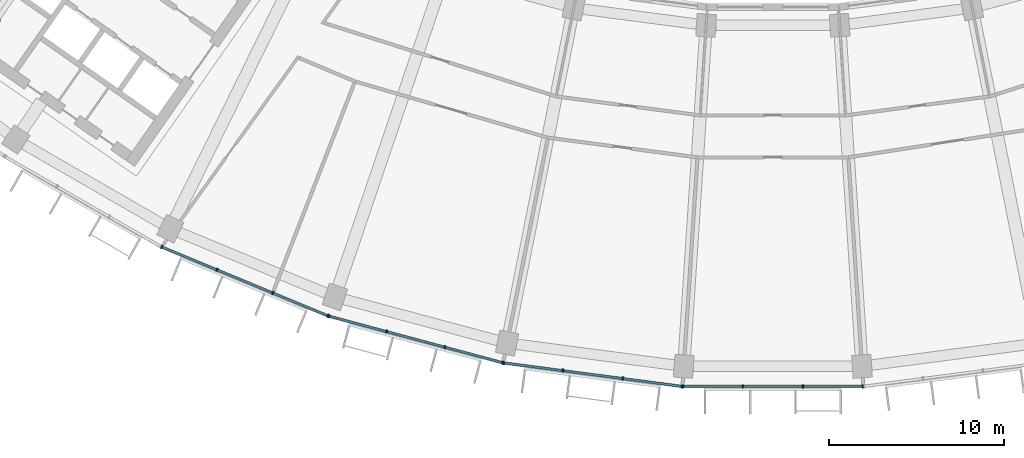
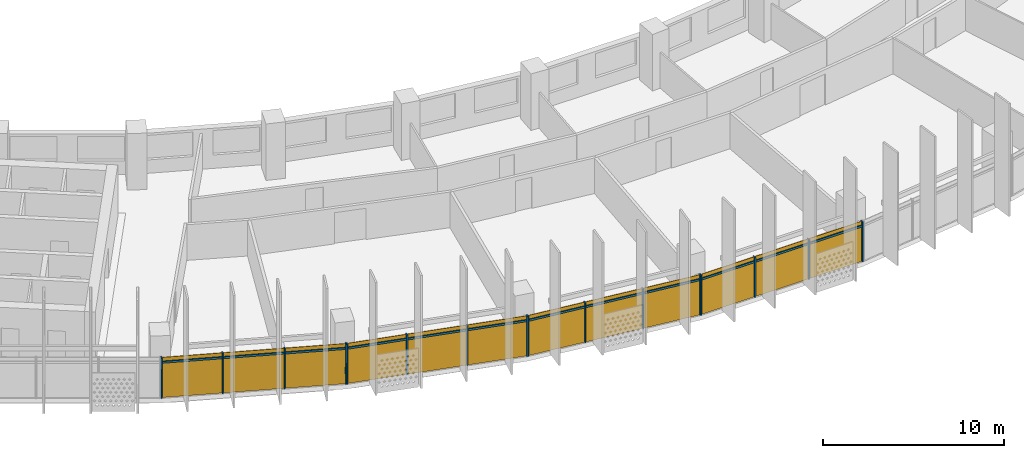
# One storey, part 18 of 27: 28 members, 4 curtain walls.
"""IFC4 building model written with IfcOpenShell, lengths in metres."""

import ifcopenshell
import ifcopenshell.guid

model = None  # the IFC model being written
_history = None  # IfcOwnerHistory: only IFC2X3 demands one
_inside = {}  # id of a spatial element -> (the spatial element, [elements in it])
_under = {}  # id of a project, library or spatial element -> (it, [spatial elements below it])
_declared = {}  # id of a project -> (the project, [libraries it declares])
_typed = {}  # id of a type object -> (the type object, [elements of that type])
_made_of = {}  # id of a material, layer set ... -> (it, [elements and type objects made of it])


def new_model(schema):
    """Start an empty IFC model of exactly this schema.

    Asked for "IFC4X3", IfcOpenShell would pick the latest addendum, in which some entities
    have other attributes; the version numbers below select the first issue.
    IFC2X3 requires an IfcOwnerHistory on every rooted entity: one is made here for all.
    """
    global model, _history
    if schema == "IFC4X3":
        model = ifcopenshell.file(schema_version=(4, 3, 0, 0))
    else:
        model = ifcopenshell.file(schema=schema)
    _inside.clear()
    _under.clear()
    _declared.clear()
    _typed.clear()
    _made_of.clear()
    _history = None
    if model.schema == "IFC2X3":
        org = make("IfcOrganization", Name="unknown")
        user = make(
            "IfcPersonAndOrganization",
            ThePerson=make("IfcPerson", FamilyName="unknown"),
            TheOrganization=org,
        )
        app = make(
            "IfcApplication",
            ApplicationDeveloper=org,
            Version="unknown",
            ApplicationFullName="unknown",
            ApplicationIdentifier="unknown",
        )
        _history = make(
            "IfcOwnerHistory",
            OwningUser=user,
            OwningApplication=app,
            ChangeAction="ADDED",
            CreationDate=0,
        )
    return model


def make(cls, **values):
    """One entity of the class cls with the attributes given. An attribute that is None is left unset."""
    return model.create_entity(
        cls, **{name: value for name, value in values.items() if value is not None}
    )


def rooted(cls, **values):
    """An entity with a GlobalId (a new one), such as an element, a storey or a relation."""
    return make(cls, GlobalId=ifcopenshell.guid.new(), OwnerHistory=_history, **values)


def si_unit(unit_type, name, prefix=None):
    """IfcSIUnit, for example si_unit("LENGTHUNIT", "METRE", prefix="MILLI")."""
    return make("IfcSIUnit", UnitType=unit_type, Prefix=prefix, Name=name)


def assignment(units):
    """IfcUnitAssignment: the units of a project."""
    return None if units is None else make("IfcUnitAssignment", Units=units)


def point(xyz):
    """IfcCartesianPoint."""
    return None if xyz is None else make("IfcCartesianPoint", Coordinates=xyz)


def direction(xyz):
    """IfcDirection."""
    return None if xyz is None else make("IfcDirection", DirectionRatios=xyz)


def frame(location, z_axis=None, x_axis=None):
    """IfcAxis2Placement3D, a coordinate frame: its origin and axes. An axis left out is left unset."""
    return make(
        "IfcAxis2Placement3D",
        Location=point(location),
        Axis=direction(z_axis),
        RefDirection=direction(x_axis),
    )


def frame_2d(location, x_axis=None):
    """IfcAxis2Placement2D, a coordinate frame in the plane: its origin and x axis."""
    return make(
        "IfcAxis2Placement2D", Location=point(location), RefDirection=direction(x_axis)
    )


def origin():
    """The frame at (0, 0, 0) with its axes left unset."""
    return frame((0.0, 0.0, 0.0))


def origin_2d():
    """The frame at (0, 0) in the plane with its x axis left unset."""
    return frame_2d((0.0, 0.0))


def place(relative_to, where):
    """IfcLocalPlacement: puts the frame where relative to a parent placement (None: the world)."""
    return make(
        "IfcLocalPlacement", PlacementRelTo=relative_to, RelativePlacement=where
    )


def context(
    kind, dimensions, precision=None, world=None, true_north=None, identifier=None
):
    """IfcGeometricRepresentationContext, for example the 3D "Model" context."""
    return make(
        "IfcGeometricRepresentationContext",
        ContextIdentifier=identifier,
        ContextType=kind,
        CoordinateSpaceDimension=dimensions,
        Precision=precision,
        WorldCoordinateSystem=world,
        TrueNorth=true_north,
    )


def subcontext(parent, identifier, kind, view, scale=None):
    """IfcGeometricRepresentationSubContext, for example "Body" below "Model"."""
    return make(
        "IfcGeometricRepresentationSubContext",
        ContextIdentifier=identifier,
        ContextType=kind,
        ParentContext=parent,
        TargetScale=scale,
        TargetView=view,
    )


def project(units=None, contexts=None):
    """IfcProject with its units and contexts."""
    return rooted(
        "IfcProject",
        Name="project",
        RepresentationContexts=contexts,
        UnitsInContext=assignment(units),
    )


def spatial(cls, under=None, at=None, **own):
    """A site, building, storey or space (cls), placed at a placement, below another one or the project."""
    s = rooted(cls, ObjectPlacement=at, **own)
    if under is not None:
        _under.setdefault(under.id(), (under, []))[1].append(s)
    return s


def profile(cls, at=None, kind="AREA", **sizes):
    """A parametric profile (cls). Its sizes go by their IFC names, for example OverallWidth=200.0."""
    return make(cls, ProfileType=kind, Position=at, **sizes)


def rectangle(**sizes):
    """IfcRectangleProfileDef."""
    return profile("IfcRectangleProfileDef", **sizes)


def extrude(swept, where, along, depth):
    """IfcExtrudedAreaSolid: the profile swept, set in the frame where, extruded along a direction by depth."""
    return make(
        "IfcExtrudedAreaSolid",
        SweptArea=swept,
        Position=where,
        ExtrudedDirection=direction(along),
        Depth=depth,
    )


def shape(context_of_items, identifier, shape_type, items):
    """IfcShapeRepresentation: the items that make up one representation, for example the "Body"."""
    return make(
        "IfcShapeRepresentation",
        ContextOfItems=context_of_items,
        RepresentationIdentifier=identifier,
        RepresentationType=shape_type,
        Items=items,
    )


def material(Name=None, Category=None):
    """IfcMaterial."""
    return make("IfcMaterial", Name=Name, Category=Category)


def material_profile(
    of_material, cross_section, Name=None, Category=None, Priority=None
):
    """IfcMaterialProfile: a cross section and its material."""
    return make(
        "IfcMaterialProfile",
        Name=Name,
        Material=of_material,
        Profile=cross_section,
        Priority=Priority,
        Category=Category,
    )


def profile_set(profiles, Name=None, composite=None):
    """IfcMaterialProfileSet."""
    return make(
        "IfcMaterialProfileSet",
        Name=Name,
        MaterialProfiles=profiles,
        CompositeProfile=composite,
    )


def made_of(thing, what):
    """Note that an element or type object is made of a material, layer set ...; save() writes the relation."""
    if what is not None:
        _made_of.setdefault(what.id(), (what, []))[1].append(thing)
    return thing


def type_object(cls, material=None, **own):
    """A type object (cls), such as IfcWallType, which elements share."""
    return made_of(rooted(cls, **own), material)


def element(
    cls,
    number,
    at=None,
    inside=None,
    cuts=None,
    type_object=None,
    material=None,
    context=None,
    identifier="Body",
    shape_type=None,
    held_by="IfcProductDefinitionShape",
    body=None,
    shapes=None,
    **own,
):
    """One element of the class cls, such as IfcWall. Its Tag is "e" and its number.

    at: its placement. inside: the storey or other place that contains it. cuts: it is an
    opening in that element (IfcRelVoidsElement). A single representation is given by context,
    identifier, shape_type and body (its items); several are given by shapes. held_by: the class
    of the entity that holds the representations. save() writes the other relations.
    """
    e = rooted(cls, Tag="e%d" % number, ObjectPlacement=at, **own)
    if body is not None:
        shapes = [shape(context, identifier, shape_type, body)]
    if shapes is not None:
        e.Representation = make(held_by, Representations=shapes)
    if inside is not None:
        _inside.setdefault(inside.id(), (inside, []))[1].append(e)
    if cuts is not None:
        rooted(
            "IfcRelVoidsElement", RelatingBuildingElement=cuts, RelatedOpeningElement=e
        )
    if type_object is not None:
        _typed.setdefault(type_object.id(), (type_object, []))[1].append(e)
    return made_of(e, material)


def aggregate(whole, parts):
    """IfcRelAggregates: a whole, such as a stair, and the parts it consists of."""
    return rooted("IfcRelAggregates", RelatingObject=whole, RelatedObjects=parts)


def save(model, path):
    """Write the relations noted so far, then the file.

    IfcRelAggregates (storeys below a building ...), IfcRelContainedInSpatialStructure (elements
    in a storey), IfcRelDefinesByType, IfcRelAssociatesMaterial and IfcRelDeclares: one each for
    every whole, place, type object, material and project.
    """
    for whole, parts in _under.values():
        aggregate(whole, parts)
    for where, things in _inside.values():
        rooted(
            "IfcRelContainedInSpatialStructure",
            RelatedElements=things,
            RelatingStructure=where,
        )
    for kind, things in _typed.values():
        rooted("IfcRelDefinesByType", RelatedObjects=things, RelatingType=kind)
    for what, things in _made_of.values():
        rooted("IfcRelAssociatesMaterial", RelatedObjects=things, RelatingMaterial=what)
    for by, libraries in _declared.values():
        rooted("IfcRelDeclares", RelatingContext=by, RelatedDefinitions=libraries)
    model.write(path)


model = new_model("IFC4")

# Units and contexts
model_context = context("Model", 3, precision=1e-05, world=origin(), true_north=direction((0.0, 1.0)))
body_context = subcontext(model_context, "Body", "Model", "MODEL_VIEW")
ifc_project = project(units=[si_unit("LENGTHUNIT", "METRE"), si_unit("AREAUNIT", "SQUARE_METRE"), si_unit("VOLUMEUNIT", "CUBIC_METRE"), si_unit("PLANEANGLEUNIT", "RADIAN"), si_unit("MASSUNIT", "GRAM", prefix="KILO")], contexts=[model_context])

# Member
ifc_material = material(Name="Aluminium 6063-T6 anodised", Category="aluminium")
ifc_material_profile_1 = material_profile(ifc_material, rectangle(XDim=0.199951171875, YDim=0.070068359375, at=origin_2d()))
ifc_profile_set_1 = profile_set([ifc_material_profile_1], Name="Aluminium 6063-T6 anodised")
member_type_1 = type_object("IfcMemberType", Name="Mullion 70 x 200 aluminium", PredefinedType="MULLION", material=ifc_profile_set_1)
site_placement = place(None, origin())
building_placement = place(site_placement, origin())
storey_placement = place(building_placement, frame((0.0, 0.0, 164.5)))
member_1_placement = place(storey_placement, frame((-34.8701171875, -70.77392578125, 0.0), z_axis=(0.0, 0.0, 1.0), x_axis=(0.382683432365, 0.923879532511, 0.0)))
member_1 = element("IfcMember", 1, at=member_1_placement, type_object=member_type_1, Name="e-cw1-L38-out04/M00", PredefinedType="MULLION", context=body_context, shape_type="SweptSolid", body=[
    extrude(rectangle(XDim=0.199951171875, YDim=0.070068359375, at=origin_2d()), origin(), (0.0, 0.0, 1.0), 2.699951171875),
])

member_2_placement = place(storey_placement, frame((-31.72021484375, -72.078857421875, 0.0), z_axis=(0.0, 0.0, 1.0), x_axis=(0.382683432365, 0.923879532511, 0.0)))
member_2 = element("IfcMember", 2, at=member_2_placement, type_object=member_type_1, Name="e-cw1-L38-out04/M01", PredefinedType="MULLION", context=body_context, shape_type="SweptSolid", body=[
    extrude(rectangle(XDim=0.199951171875, YDim=0.070068359375, at=origin_2d()), origin(), (0.0, 0.0, 1.0), 2.699951171875),
])

member_3_placement = place(storey_placement, frame((-28.537841796875, -73.39697265625, 0.0), z_axis=(0.0, 0.0, 1.0), x_axis=(0.382683432365, 0.923879532511, 0.0)))
member_3 = element("IfcMember", 3, at=member_3_placement, type_object=member_type_1, Name="e-cw1-L38-out04/M02", PredefinedType="MULLION", context=body_context, shape_type="SweptSolid", body=[
    extrude(rectangle(XDim=0.199951171875, YDim=0.070068359375, at=origin_2d()), origin(), (0.0, 0.0, 1.0), 2.699951171875),
])

member_4_placement = place(storey_placement, frame((-25.3876953125, -74.70166015625, 0.0), z_axis=(0.0, 0.0, 1.0), x_axis=(0.382683432365, 0.923879532511, 0.0)))
member_4 = element("IfcMember", 4, at=member_4_placement, type_object=member_type_1, Name="e-cw1-L38-out04/M03", PredefinedType="MULLION", context=body_context, shape_type="SweptSolid", body=[
    extrude(rectangle(XDim=0.199951171875, YDim=0.070068359375, at=origin_2d()), origin(), (0.0, 0.0, 1.0), 2.699951171875),
])

member_5_placement = place(storey_placement, frame((-25.333984375, -74.719970703125, 0.0), z_axis=(0.0, 0.0, 1.0), x_axis=(0.258819045103, 0.965925826289, 0.0)))
member_5 = element("IfcMember", 5, at=member_5_placement, type_object=member_type_1, Name="e-cw1-L38-out05/M00", PredefinedType="MULLION", context=body_context, shape_type="SweptSolid", body=[
    extrude(rectangle(XDim=0.199951171875, YDim=0.070068359375, at=origin_2d()), origin(), (0.0, 0.0, 1.0), 2.699951171875),
])

member_6_placement = place(storey_placement, frame((-22.04052734375, -75.602294921875, 0.0), z_axis=(0.0, 0.0, 1.0), x_axis=(0.258819045103, 0.965925826289, 0.0)))
member_6 = element("IfcMember", 6, at=member_6_placement, type_object=member_type_1, Name="e-cw1-L38-out05/M01", PredefinedType="MULLION", context=body_context, shape_type="SweptSolid", body=[
    extrude(rectangle(XDim=0.199951171875, YDim=0.070068359375, at=origin_2d()), origin(), (0.0, 0.0, 1.0), 2.699951171875),
])

member_7_placement = place(storey_placement, frame((-18.71337890625, -76.493896484375, 0.0), z_axis=(0.0, 0.0, 1.0), x_axis=(0.258819045103, 0.965925826289, 0.0)))
member_7 = element("IfcMember", 7, at=member_7_placement, type_object=member_type_1, Name="e-cw1-L38-out05/M02", PredefinedType="MULLION", context=body_context, shape_type="SweptSolid", body=[
    extrude(rectangle(XDim=0.199951171875, YDim=0.070068359375, at=origin_2d()), origin(), (0.0, 0.0, 1.0), 2.699951171875),
])

member_8_placement = place(storey_placement, frame((-15.420166015625, -77.37646484375, 0.0), z_axis=(0.0, 0.0, 1.0), x_axis=(0.258819045103, 0.965925826289, 0.0)))
member_8 = element("IfcMember", 8, at=member_8_placement, type_object=member_type_1, Name="e-cw1-L38-out05/M03", PredefinedType="MULLION", context=body_context, shape_type="SweptSolid", body=[
    extrude(rectangle(XDim=0.199951171875, YDim=0.070068359375, at=origin_2d()), origin(), (0.0, 0.0, 1.0), 2.699951171875),
])

member_9_placement = place(storey_placement, frame((-15.364501953125, -77.387451171875, 0.0), z_axis=(0.0, 0.0, 1.0), x_axis=(0.13052619222, 0.991444861374, 0.0)))
member_9 = element("IfcMember", 9, at=member_9_placement, type_object=member_type_1, Name="e-cw1-L38-out06/M00", PredefinedType="MULLION", context=body_context, shape_type="SweptSolid", body=[
    extrude(rectangle(XDim=0.199951171875, YDim=0.070068359375, at=origin_2d()), origin(), (0.0, 0.0, 1.0), 2.699951171875),
])

member_10_placement = place(storey_placement, frame((-11.98388671875, -77.83251953125, 0.0), z_axis=(0.0, 0.0, 1.0), x_axis=(0.13052619222, 0.991444861374, 0.0)))
member_10 = element("IfcMember", 10, at=member_10_placement, type_object=member_type_1, Name="e-cw1-L38-out06/M01", PredefinedType="MULLION", context=body_context, shape_type="SweptSolid", body=[
    extrude(rectangle(XDim=0.199951171875, YDim=0.070068359375, at=origin_2d()), origin(), (0.0, 0.0, 1.0), 2.699951171875),
])

member_11_placement = place(storey_placement, frame((-8.56884765625, -78.2822265625, 0.0), z_axis=(0.0, 0.0, 1.0), x_axis=(0.13052619222, 0.991444861374, 0.0)))
member_11 = element("IfcMember", 11, at=member_11_placement, type_object=member_type_1, Name="e-cw1-L38-out06/M02", PredefinedType="MULLION", context=body_context, shape_type="SweptSolid", body=[
    extrude(rectangle(XDim=0.199951171875, YDim=0.070068359375, at=origin_2d()), origin(), (0.0, 0.0, 1.0), 2.699951171875),
])

member_12_placement = place(storey_placement, frame((-5.1884765625, -78.72705078125, 0.0), z_axis=(0.0, 0.0, 1.0), x_axis=(0.13052619222, 0.991444861374, 0.0)))
member_12 = element("IfcMember", 12, at=member_12_placement, type_object=member_type_1, Name="e-cw1-L38-out06/M03", PredefinedType="MULLION", context=body_context, shape_type="SweptSolid", body=[
    extrude(rectangle(XDim=0.199951171875, YDim=0.070068359375, at=origin_2d()), origin(), (0.0, 0.0, 1.0), 2.699951171875),
])

member_13_placement = place(storey_placement, frame((-5.1318359375, -78.73095703125, 0.0), z_axis=(0.0, 0.0, 1.0), x_axis=(0.0, 1.0, 0.0)))
member_13 = element("IfcMember", 13, at=member_13_placement, type_object=member_type_1, Name="e-cw1-L38-out07/M00", PredefinedType="MULLION", context=body_context, shape_type="SweptSolid", body=[
    extrude(rectangle(XDim=0.199951171875, YDim=0.070068359375, at=origin_2d()), origin(), (0.0, 0.0, 1.0), 2.699951171875),
])

member_14_placement = place(storey_placement, frame((-1.72216796875, -78.73095703125, 0.0), z_axis=(0.0, 0.0, 1.0), x_axis=(0.0, 1.0, 0.0)))
member_14 = element("IfcMember", 14, at=member_14_placement, type_object=member_type_1, Name="e-cw1-L38-out07/M01", PredefinedType="MULLION", context=body_context, shape_type="SweptSolid", body=[
    extrude(rectangle(XDim=0.199951171875, YDim=0.070068359375, at=origin_2d()), origin(), (0.0, 0.0, 1.0), 2.699951171875),
])

member_15_placement = place(storey_placement, frame((1.72216796875, -78.73095703125, 0.0), z_axis=(0.0, 0.0, 1.0), x_axis=(0.0, 1.0, 0.0)))
member_15 = element("IfcMember", 15, at=member_15_placement, type_object=member_type_1, Name="e-cw1-L38-out07/M02", PredefinedType="MULLION", context=body_context, shape_type="SweptSolid", body=[
    extrude(rectangle(XDim=0.199951171875, YDim=0.070068359375, at=origin_2d()), origin(), (0.0, 0.0, 1.0), 2.699951171875),
])

member_16_placement = place(storey_placement, frame((5.1318359375, -78.73095703125, 0.0), z_axis=(0.0, 0.0, 1.0), x_axis=(0.0, 1.0, 0.0)))
member_16 = element("IfcMember", 16, at=member_16_placement, type_object=member_type_1, Name="e-cw1-L38-out07/M03", PredefinedType="MULLION", context=body_context, shape_type="SweptSolid", body=[
    extrude(rectangle(XDim=0.199951171875, YDim=0.070068359375, at=origin_2d()), origin(), (0.0, 0.0, 1.0), 2.699951171875),
])

ifc_material_profile_2 = material_profile(ifc_material, rectangle(XDim=0.139892578125, YDim=0.1201171875, at=origin_2d()))
ifc_profile_set_2 = profile_set([ifc_material_profile_2], Name="Aluminium 6063-T6 anodised")
member_type_2 = type_object("IfcMemberType", Name="Transom 120 x 140 aluminium", PredefinedType="USERDEFINED", material=ifc_profile_set_2)
member_17_placement = place(storey_placement, frame((-34.837890625, -70.787353515625, 2.39990234375), z_axis=(0.923875164544, -0.382693977401, 0.0), x_axis=(0.382693977401, 0.923875164544, 0.0)))
member_17 = element("IfcMember", 17, at=member_17_placement, type_object=member_type_2, Name="e-cw1-L38-out04/T00", ObjectType="TRANSOM", PredefinedType="USERDEFINED", context=body_context, shape_type="SweptSolid", body=[
    extrude(rectangle(XDim=0.139892578125, YDim=0.1201171875, at=origin_2d()), origin(), (0.0, 0.0, 1.0), 3.339599609375),
])

member_18_placement = place(storey_placement, frame((-31.687744140625, -72.092041015625, 2.39990234375), z_axis=(0.923866926753, -0.382713863941, 0.0), x_axis=(0.382713863941, 0.923866926753, 0.0)))
member_18 = element("IfcMember", 18, at=member_18_placement, type_object=member_type_2, Name="e-cw1-L38-out04/T01", ObjectType="TRANSOM", PredefinedType="USERDEFINED", context=body_context, shape_type="SweptSolid", body=[
    extrude(rectangle(XDim=0.139892578125, YDim=0.1201171875, at=origin_2d()), origin(), (0.0, 0.0, 1.0), 3.37451171875),
])

member_19_placement = place(storey_placement, frame((-28.50537109375, -73.410400390625, 2.39990234375), z_axis=(0.923890305385, -0.382657423311, 0.0), x_axis=(0.382657423311, 0.923890305385, 0.0)))
member_19 = element("IfcMember", 19, at=member_19_placement, type_object=member_type_2, Name="e-cw1-L38-out04/T02", ObjectType="TRANSOM", PredefinedType="USERDEFINED", context=body_context, shape_type="SweptSolid", body=[
    extrude(rectangle(XDim=0.139892578125, YDim=0.1201171875, at=origin_2d()), origin(), (0.0, 0.0, 1.0), 3.33935546875),
])

member_20_placement = place(storey_placement, frame((-25.30029296875, -74.72900390625, 2.39990234375), z_axis=(0.965933368091, -0.258790897074, 0.0), x_axis=(0.258790897074, 0.965933368091, 0.0)))
member_20 = element("IfcMember", 20, at=member_20_placement, type_object=member_type_2, Name="e-cw1-L38-out05/T00", ObjectType="TRANSOM", PredefinedType="USERDEFINED", context=body_context, shape_type="SweptSolid", body=[
    extrude(rectangle(XDim=0.139892578125, YDim=0.1201171875, at=origin_2d()), origin(), (0.0, 0.0, 1.0), 3.339599609375),
])

member_21_placement = place(storey_placement, frame((-22.0068359375, -75.611572265625, 2.39990234375), z_axis=(0.965932873966, -0.258792741381, 0.0), x_axis=(0.258792741381, 0.965932873966, 0.0)))
member_21 = element("IfcMember", 21, at=member_21_placement, type_object=member_type_2, Name="e-cw1-L38-out05/T01", ObjectType="TRANSOM", PredefinedType="USERDEFINED", context=body_context, shape_type="SweptSolid", body=[
    extrude(rectangle(XDim=0.139892578125, YDim=0.1201171875, at=origin_2d()), origin(), (0.0, 0.0, 1.0), 3.37451171875),
])

member_22_placement = place(storey_placement, frame((-18.6796875, -76.5029296875, 2.39990234375), z_axis=(0.96591509168, -0.258859103886, 0.0), x_axis=(0.258859103886, 0.96591509168, 0.0)))
member_22 = element("IfcMember", 22, at=member_22_placement, type_object=member_type_2, Name="e-cw1-L38-out05/T02", ObjectType="TRANSOM", PredefinedType="USERDEFINED", context=body_context, shape_type="SweptSolid", body=[
    extrude(rectangle(XDim=0.139892578125, YDim=0.1201171875, at=origin_2d()), origin(), (0.0, 0.0, 1.0), 3.339599609375),
])

member_23_placement = place(storey_placement, frame((-15.32958984375, -77.39208984375, 2.39990234375), z_axis=(0.991448073325, -0.130501792706, 0.0), x_axis=(0.130501792706, 0.991448073325, 0.0)))
member_23 = element("IfcMember", 23, at=member_23_placement, type_object=member_type_2, Name="e-cw1-L38-out06/T00", ObjectType="TRANSOM", PredefinedType="USERDEFINED", context=body_context, shape_type="SweptSolid", body=[
    extrude(rectangle(XDim=0.139892578125, YDim=0.1201171875, at=origin_2d()), origin(), (0.0, 0.0, 1.0), 3.33935546875),
])

member_24_placement = place(storey_placement, frame((-11.94921875, -77.837158203125, 2.39990234375), z_axis=(0.991446413845, -0.130514399487, 0.0), x_axis=(0.130514399487, 0.991446413845, 0.0)))
member_24 = element("IfcMember", 24, at=member_24_placement, type_object=member_type_2, Name="e-cw1-L38-out06/T01", ObjectType="TRANSOM", PredefinedType="USERDEFINED", context=body_context, shape_type="SweptSolid", body=[
    extrude(rectangle(XDim=0.139892578125, YDim=0.1201171875, at=origin_2d()), origin(), (0.0, 0.0, 1.0), 3.37451171875),
])

member_25_placement = place(storey_placement, frame((-8.5341796875, -78.28662109375, 2.39990234375), z_axis=(0.991439857731, -0.130564193033, 0.0), x_axis=(0.130564193033, 0.991439857731, 0.0)))
member_25 = element("IfcMember", 25, at=member_25_placement, type_object=member_type_2, Name="e-cw1-L38-out06/T02", ObjectType="TRANSOM", PredefinedType="USERDEFINED", context=body_context, shape_type="SweptSolid", body=[
    extrude(rectangle(XDim=0.139892578125, YDim=0.1201171875, at=origin_2d()), origin(), (0.0, 0.0, 1.0), 3.339599609375),
])

member_26_placement = place(storey_placement, frame((-5.096923828125, -78.73095703125, 2.39990234375), z_axis=(1.0, 0.0, 0.0), x_axis=(0.0, 1.0, 0.0)))
member_26 = element("IfcMember", 26, at=member_26_placement, type_object=member_type_2, Name="e-cw1-L38-out07/T00", ObjectType="TRANSOM", PredefinedType="USERDEFINED", context=body_context, shape_type="SweptSolid", body=[
    extrude(rectangle(XDim=0.139892578125, YDim=0.1201171875, at=origin_2d()), origin(), (0.0, 0.0, 1.0), 3.339599609375),
])

member_27_placement = place(storey_placement, frame((-1.687255859375, -78.73095703125, 2.39990234375), z_axis=(1.0, 0.0, 0.0), x_axis=(0.0, 1.0, 0.0)))
member_27 = element("IfcMember", 27, at=member_27_placement, type_object=member_type_2, Name="e-cw1-L38-out07/T01", ObjectType="TRANSOM", PredefinedType="USERDEFINED", context=body_context, shape_type="SweptSolid", body=[
    extrude(rectangle(XDim=0.139892578125, YDim=0.1201171875, at=origin_2d()), origin(), (0.0, 0.0, 1.0), 3.37451171875),
])

member_28_placement = place(storey_placement, frame((1.75732421875, -78.73095703125, 2.39990234375), z_axis=(1.0, 0.0, 0.0), x_axis=(0.0, 1.0, 0.0)))
member_28 = element("IfcMember", 28, at=member_28_placement, type_object=member_type_2, Name="e-cw1-L38-out07/T02", ObjectType="TRANSOM", PredefinedType="USERDEFINED", context=body_context, shape_type="SweptSolid", body=[
    extrude(rectangle(XDim=0.139892578125, YDim=0.1201171875, at=origin_2d()), origin(), (0.0, 0.0, 1.0), 3.339599609375),
])

# Site, building, storey
site = spatial("IfcSite", under=ifc_project, at=site_placement, CompositionType="ELEMENT")
building = spatial("IfcBuilding", under=site, at=building_placement, Name="Qamariyya Broadcast Tower", CompositionType="ELEMENT")
storey = spatial("IfcBuildingStorey", under=building, at=storey_placement, Name="L38", CompositionType="ELEMENT", Elevation=164.5)

# Curtain wall
curtain_wall_type = type_object("IfcCurtainWallType", Name="Unitised curtain wall, anodised aluminium", PredefinedType="NOTDEFINED", material=ifc_material)
curtain_wall_1_placement = place(storey_placement, origin())
curtain_wall_1 = element("IfcCurtainWall", 29, at=curtain_wall_1_placement, inside=storey, type_object=curtain_wall_type, Name="e-cw1-L38-out04", PredefinedType="NOTDEFINED", context=body_context, shape_type="SweptSolid", body=[
    extrude(rectangle(XDim=3.339599609375, YDim=0.031982421875, at=origin_2d()), frame((-33.295166015625, -71.42626953125, 0.0), x_axis=(0.923878040314, -0.382687034829, 0.0)), (0.0, 0.0, 1.0), 2.340087890625),
    extrude(rectangle(XDim=3.339599609375, YDim=0.031982421875, at=origin_2d()), frame((-33.295166015625, -71.42626953125, 2.4599609375), x_axis=(0.923878040314, -0.382687034829, 0.0)), (0.0, 0.0, 1.0), 0.239990234375),
    extrude(rectangle(XDim=3.37451171875, YDim=0.031982421875, at=origin_2d()), frame((-30.12890625, -72.73779296875, 0.0), x_axis=(0.923878040314, -0.382687034829, 0.0)), (0.0, 0.0, 1.0), 2.340087890625),
    extrude(rectangle(XDim=3.37451171875, YDim=0.031982421875, at=origin_2d()), frame((-30.12890625, -72.73779296875, 2.4599609375), x_axis=(0.923878040314, -0.382687034829, 0.0)), (0.0, 0.0, 1.0), 0.239990234375),
    extrude(rectangle(XDim=3.339599609375, YDim=0.031982421875, at=origin_2d()), frame((-26.962890625, -74.04931640625, 0.0), x_axis=(0.923878040314, -0.382687034829, 0.0)), (0.0, 0.0, 1.0), 2.340087890625),
    extrude(rectangle(XDim=3.339599609375, YDim=0.031982421875, at=origin_2d()), frame((-26.962890625, -74.04931640625, 2.4599609375), x_axis=(0.923878040314, -0.382687034829, 0.0)), (0.0, 0.0, 1.0), 0.239990234375),
])

aggregate(curtain_wall_1, [member_1, member_2, member_3, member_4, member_17, member_18, member_19])

curtain_wall_2_placement = place(storey_placement, origin())
curtain_wall_2 = element("IfcCurtainWall", 30, at=curtain_wall_2_placement, inside=storey, type_object=curtain_wall_type, Name="e-cw1-L38-out05", PredefinedType="NOTDEFINED", context=body_context, shape_type="SweptSolid", body=[
    extrude(rectangle(XDim=3.339599609375, YDim=0.031982421875, at=origin_2d()), frame((-23.6875, -75.1611328125, 0.0), x_axis=(0.965926433062, -0.258816780584, 0.0)), (0.0, 0.0, 1.0), 2.340087890625),
    extrude(rectangle(XDim=3.339599609375, YDim=0.031982421875, at=origin_2d()), frame((-23.6875, -75.1611328125, 2.4599609375), x_axis=(0.965926433062, -0.258816780584, 0.0)), (0.0, 0.0, 1.0), 0.239990234375),
    extrude(rectangle(XDim=3.37451171875, YDim=0.031982421875, at=origin_2d()), frame((-20.376953125, -76.04833984375, 0.0), x_axis=(0.965926433062, -0.258816780584, 0.0)), (0.0, 0.0, 1.0), 2.340087890625),
    extrude(rectangle(XDim=3.37451171875, YDim=0.031982421875, at=origin_2d()), frame((-20.376953125, -76.04833984375, 2.4599609375), x_axis=(0.965926433062, -0.258816780584, 0.0)), (0.0, 0.0, 1.0), 0.239990234375),
    extrude(rectangle(XDim=3.339599609375, YDim=0.031982421875, at=origin_2d()), frame((-17.066650390625, -76.935302734375, 0.0), x_axis=(0.965926433062, -0.258816780584, 0.0)), (0.0, 0.0, 1.0), 2.340087890625),
    extrude(rectangle(XDim=3.339599609375, YDim=0.031982421875, at=origin_2d()), frame((-17.066650390625, -76.935302734375, 2.4599609375), x_axis=(0.965926433062, -0.258816780584, 0.0)), (0.0, 0.0, 1.0), 0.239990234375),
])

aggregate(curtain_wall_2, [member_5, member_6, member_7, member_8, member_20, member_21, member_22])

curtain_wall_3_placement = place(storey_placement, origin())
curtain_wall_3 = element("IfcCurtainWall", 31, at=curtain_wall_3_placement, inside=storey, type_object=curtain_wall_type, Name="e-cw1-L38-out06", PredefinedType="NOTDEFINED", context=body_context, shape_type="SweptSolid", body=[
    extrude(rectangle(XDim=3.339599609375, YDim=0.031982421875, at=origin_2d()), frame((-13.67431640625, -77.60986328125, 0.0), x_axis=(0.991444240905, -0.130530905064, 0.0)), (0.0, 0.0, 1.0), 2.340087890625),
    extrude(rectangle(XDim=3.339599609375, YDim=0.031982421875, at=origin_2d()), frame((-13.67431640625, -77.60986328125, 2.4599609375), x_axis=(0.991444240905, -0.130530905064, 0.0)), (0.0, 0.0, 1.0), 0.239990234375),
    extrude(rectangle(XDim=3.37451171875, YDim=0.031982421875, at=origin_2d()), frame((-10.2763671875, -78.05712890625, 0.0), x_axis=(0.991444240905, -0.130530905064, 0.0)), (0.0, 0.0, 1.0), 2.340087890625),
    extrude(rectangle(XDim=3.37451171875, YDim=0.031982421875, at=origin_2d()), frame((-10.2763671875, -78.05712890625, 2.4599609375), x_axis=(0.991444240905, -0.130530905064, 0.0)), (0.0, 0.0, 1.0), 0.239990234375),
    extrude(rectangle(XDim=3.339599609375, YDim=0.031982421875, at=origin_2d()), frame((-6.878662109375, -78.504638671875, 0.0), x_axis=(0.991444240905, -0.130530905064, 0.0)), (0.0, 0.0, 1.0), 2.340087890625),
    extrude(rectangle(XDim=3.339599609375, YDim=0.031982421875, at=origin_2d()), frame((-6.878662109375, -78.504638671875, 2.4599609375), x_axis=(0.991444240905, -0.130530905064, 0.0)), (0.0, 0.0, 1.0), 0.239990234375),
])

aggregate(curtain_wall_3, [member_9, member_10, member_11, member_12, member_23, member_24, member_25])

curtain_wall_4_placement = place(storey_placement, origin())
curtain_wall_4 = element("IfcCurtainWall", 32, at=curtain_wall_4_placement, inside=storey, type_object=curtain_wall_type, Name="e-cw1-L38-out07", PredefinedType="NOTDEFINED", context=body_context, shape_type="SweptSolid", body=[
    extrude(rectangle(XDim=3.339599609375, YDim=0.031982421875, at=origin_2d()), frame((-3.427001953125, -78.73095703125, 0.0), x_axis=(1.0, 0.0, 0.0)), (0.0, 0.0, 1.0), 2.340087890625),
    extrude(rectangle(XDim=3.339599609375, YDim=0.031982421875, at=origin_2d()), frame((-3.427001953125, -78.73095703125, 2.4599609375), x_axis=(1.0, 0.0, 0.0)), (0.0, 0.0, 1.0), 0.239990234375),
    extrude(rectangle(XDim=3.37451171875, YDim=0.031982421875, at=origin_2d()), frame((0.0, -78.73095703125, 0.0), x_axis=(1.0, 0.0, 0.0)), (0.0, 0.0, 1.0), 2.340087890625),
    extrude(rectangle(XDim=3.37451171875, YDim=0.031982421875, at=origin_2d()), frame((0.0, -78.73095703125, 2.4599609375), x_axis=(1.0, 0.0, 0.0)), (0.0, 0.0, 1.0), 0.239990234375),
    extrude(rectangle(XDim=3.339599609375, YDim=0.031982421875, at=origin_2d()), frame((3.427001953125, -78.73095703125, 0.0), x_axis=(1.0, 0.0, 0.0)), (0.0, 0.0, 1.0), 2.340087890625),
    extrude(rectangle(XDim=3.339599609375, YDim=0.031982421875, at=origin_2d()), frame((3.427001953125, -78.73095703125, 2.4599609375), x_axis=(1.0, 0.0, 0.0)), (0.0, 0.0, 1.0), 0.239990234375),
])

aggregate(curtain_wall_4, [member_13, member_14, member_15, member_16, member_26, member_27, member_28])

save(model, "model.ifc")
